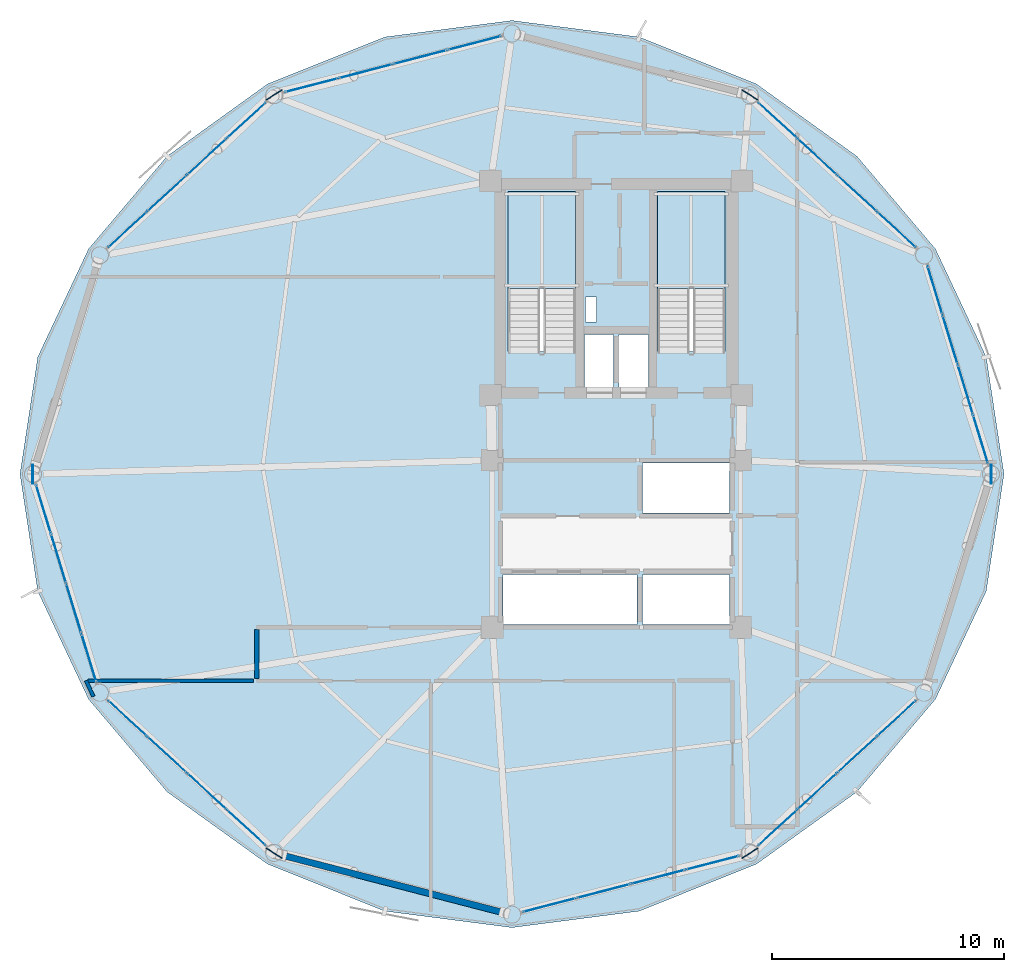
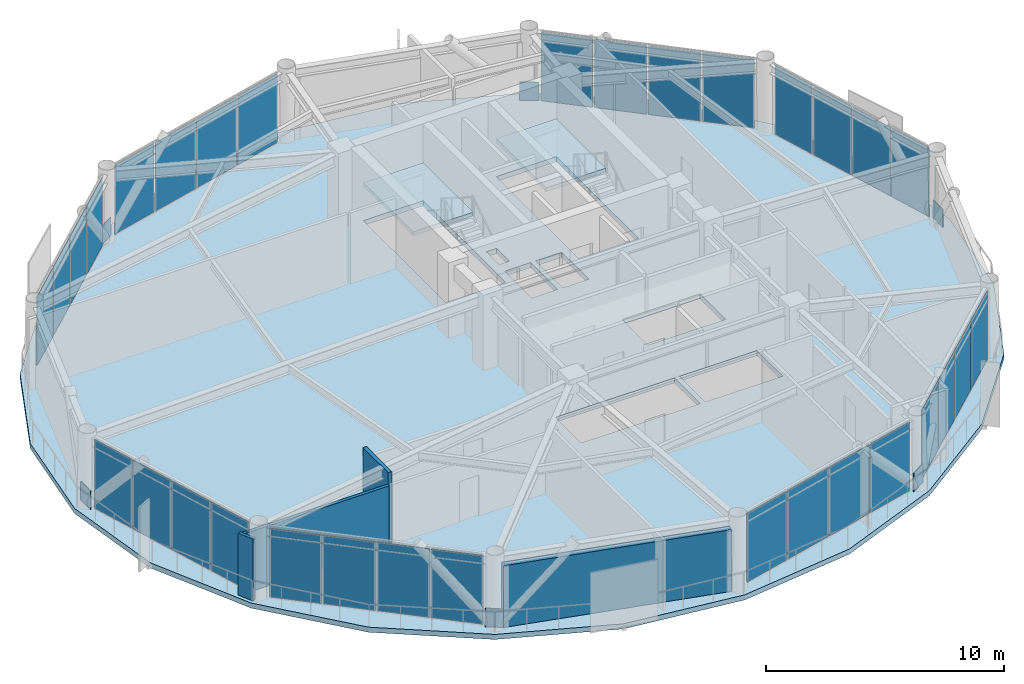
# One storey, part 20 of 25: 38 plates, 4 walls, 3 slabs, 10 elements without a shape of their own.
"""IFC4 building model written with IfcOpenShell, lengths in metres."""

from ifc_helpers import new_model, si_unit, direction, frame, frame_2d, origin, origin_2d, place, context, subcontext, project, spatial, polyline, rectangle, outline, extrude, source, transform, mapped, material, layer, layer_set, type_object, type_shapes, element, aggregate, save


model = new_model("IFC4")

# Units and contexts
model_context = context("Model", 3, precision=1e-05, world=origin(), true_north=direction((0.0, 1.0)))
body_context = subcontext(model_context, "Body", "Model", "MODEL_VIEW")
ifc_project = project(units=[si_unit("LENGTHUNIT", "METRE"), si_unit("AREAUNIT", "SQUARE_METRE"), si_unit("VOLUMEUNIT", "CUBIC_METRE"), si_unit("PLANEANGLEUNIT", "RADIAN"), si_unit("MASSUNIT", "GRAM", prefix="KILO")], contexts=[model_context])

# Site, building, storey
site_placement = place(None, origin())
site = spatial("IfcSite", under=ifc_project, at=site_placement, CompositionType="ELEMENT")
building_placement = place(site_placement, origin())
building = spatial("IfcBuilding", under=site, at=building_placement, Name="Varnakorn Sky Granary", CompositionType="ELEMENT")
storey_placement = place(building_placement, frame((0.0, 0.0, 157.800048828125)))
storey = spatial("IfcBuildingStorey", under=building, at=storey_placement, Name="L39", CompositionType="ELEMENT", Elevation=157.800048828125)

# Plates
ifc_material_1 = material(Name="Steel S460M", Category="steel")
ifc_layer_1 = layer(ifc_material_1, 0.0380859375, Name="Steel S460M")
ifc_layer_set_1 = layer_set([ifc_layer_1], Name="Steel S460M")
plate_type_1 = type_object("IfcPlateType", Name="PL-NODE-KN3", PredefinedType="SHEET", material=ifc_layer_set_1)
for number, where, z_axis, x_axis, name in (
    (1, (19.14990234375, 0.0, 0.0), (0.0, 0.0, 1.0), (0.0, 1.0, 0.0), "Diagrid Node Gusset Assembly KN3 L39-1"),
    (2, (8.757568359375, 16.33154296875, 0.0), (0.0, 0.0, 1.0), (-0.84682372896, 0.531873642956, 0.0), "Diagrid Node Gusset Assembly KN3 L39-3"),
    (3, (-11.757568359375, 16.33154296875, 0.0), (0.0, 0.0, 1.0), (-0.84682372896, -0.531873642956, 0.0), "Diagrid Node Gusset Assembly KN3 L39-5"),
    (4, (-22.14990234375, 0.0, 0.0), (0.0, 0.0, 1.0), (0.0, -1.0, 0.0), "Diagrid Node Gusset Assembly KN3 L39-7"),
    (5, (-11.757568359375, -16.33154296875, 0.0), (0.0, 0.0, 1.0), (0.84682372896, -0.531873642956, 0.0), "Diagrid Node Gusset Assembly KN3 L39-9"),
    (6, (8.757568359375, -16.33154296875, 0.0), (0.0, 0.0, 1.0), (0.84682372896, 0.531873642956, 0.0), "Diagrid Node Gusset Assembly KN3 L39-11"),
):
    element("IfcPlate", number, at=place(storey_placement, frame(where, z_axis=z_axis, x_axis=x_axis)), inside=storey, type_object=plate_type_1, Name=name, PredefinedType="SHEET", context=body_context, shape_type="SweptSolid", body=[
        extrude(rectangle(XDim=0.820068359375, YDim=0.0380859375, at=origin_2d()), origin(), (0.0, 0.0, 1.0), 0.93994140625),
    ])

# Stair, slab
ifc_material_2 = material(Name="Concrete C40/50", Category="concrete")
stair_type = type_object("IfcStairType", Name="ST-MAIN-ASSEMBLY", PredefinedType="HALF_TURN_STAIR", material=ifc_material_2)
stair_1_placement = place(storey_placement, origin())
stair_1 = element("IfcStair", 7, at=stair_1_placement, inside=storey, type_object=stair_type, Name="L39 Protected Exit Stair ST-1", PredefinedType="HALF_TURN_STAIR")
ifc_layer_2 = layer(ifc_material_2, 0.199951171875, Name="Concrete C40/50")
ifc_layer_set_2 = layer_set([ifc_layer_2], Name="Concrete C40/50")
slab_type_1 = type_object("IfcSlabType", Name="ST-MAIN-LAND", PredefinedType="LANDING", material=ifc_layer_set_2)
slab_1_placement = place(storey_placement, frame((0.0, 0.0, 1.75)))
slab_1 = element("IfcSlab", 8, at=slab_1_placement, type_object=slab_type_1, Name="ST-1 landing 1", PredefinedType="LANDING", context=body_context, shape_type="SweptSolid", body=[
    extrude(outline(polyline([(1.239990234375, 8.0), (1.239990234375, 12.179931640625), (-1.669921875, 12.179931640625), (-1.669921875, 8.0), (1.239990234375, 8.0)])), origin(), (0.0, 0.0, 1.0), 0.199951171875),
])
aggregate(stair_1, [slab_1])

stair_2_placement = place(storey_placement, origin())
stair_2 = element("IfcStair", 9, at=stair_2_placement, inside=storey, type_object=stair_type, Name="L39 Protected Exit Stair ST-2", PredefinedType="HALF_TURN_STAIR")
slab_2_placement = place(storey_placement, frame((0.0, 0.0, 1.75)))
slab_2 = element("IfcSlab", 10, at=slab_2_placement, type_object=slab_type_1, Name="ST-2 landing 1", PredefinedType="LANDING", context=body_context, shape_type="SweptSolid", body=[
    extrude(outline(polyline([(7.679931640625, 8.0), (7.679931640625, 12.179931640625), (4.77001953125, 12.179931640625), (4.77001953125, 8.0), (7.679931640625, 8.0)])), origin(), (0.0, 0.0, 1.0), 0.199951171875),
])
aggregate(stair_2, [slab_2])

# Slab
ifc_material_3 = material(Name="Concrete C50/60", Category="concrete")
ifc_layer_3 = layer(ifc_material_3, 0.260009765625, Name="Concrete C50/60")
ifc_layer_set_3 = layer_set([ifc_layer_3], Name="Concrete C50/60")
slab_type_2 = type_object("IfcSlabType", Name="ST-SL-TWR-260", PredefinedType="FLOOR", material=ifc_layer_set_3)
slab_3_placement = place(storey_placement, frame((0.0, 0.0, -0.260009765625)))
element("IfcSlab", 11, at=slab_3_placement, inside=storey, type_object=slab_type_2, Name="Level L39 Structural Floor Slab", PredefinedType="FLOOR", context=body_context, shape_type="SweptSolid", body=[
    extrude(outline(polyline([(19.699951171875, 0.0), (18.93408203125, 5.04638671875), (16.742919921875, 9.7041015625), (13.36328125, 13.691650390625), (9.032470703125, 16.807861328125), (3.975341796875, 18.83349609375), (-1.5, 19.54296875), (-6.975341796875, 18.83349609375), (-12.032470703125, 16.807861328125), (-16.36328125, 13.691650390625), (-19.742919921875, 9.7041015625), (-21.93408203125, 5.04638671875), (-22.699951171875, 0.0), (-21.93408203125, -5.04638671875), (-19.742919921875, -9.7041015625), (-16.36328125, -13.691650390625), (-12.032470703125, -16.807861328125), (-6.975341796875, -18.83349609375), (-1.5, -19.54296875), (3.975341796875, -18.83349609375), (9.032470703125, -16.807861328125), (13.36328125, -13.691650390625), (16.742919921875, -9.7041015625), (18.93408203125, -5.04638671875), (19.699951171875, 0.0)]), holes=[polyline([(1.239990234375, 5.27490234375), (1.239990234375, 12.179931640625), (-1.669921875, 12.179931640625), (-1.669921875, 5.27490234375), (1.239990234375, 5.27490234375)]), polyline([(7.679931640625, 5.27490234375), (7.679931640625, 12.179931640625), (4.77001953125, 12.179931640625), (4.77001953125, 5.27490234375), (7.679931640625, 5.27490234375)]), polyline([(1.659912109375, 6.550048828125), (2.14990234375, 6.550048828125), (2.14990234375, 7.6201171875), (1.659912109375, 7.6201171875), (1.659912109375, 6.550048828125)]), polyline([(1.6201171875, 3.739990234375), (2.8798828125, 3.739990234375), (2.8798828125, 6.010009765625), (1.6201171875, 6.010009765625), (1.6201171875, 3.739990234375)]), polyline([(3.1201171875, 3.739990234375), (4.3798828125, 3.739990234375), (4.3798828125, 6.010009765625), (3.1201171875, 6.010009765625), (3.1201171875, 3.739990234375)]), polyline([(4.1201171875, -1.679931640625), (7.8798828125, -1.679931640625), (7.8798828125, 0.47998046875), (4.1201171875, 0.47998046875), (4.1201171875, -1.679931640625)]), polyline([(-1.8798828125, -6.47998046875), (3.8798828125, -6.47998046875), (3.8798828125, -4.320068359375), (-1.8798828125, -4.320068359375), (-1.8798828125, -6.47998046875)]), polyline([(4.1201171875, -6.47998046875), (7.8798828125, -6.47998046875), (7.8798828125, -4.320068359375), (4.1201171875, -4.320068359375), (4.1201171875, -6.47998046875)])]), origin(), (0.0, 0.0, 1.0), 0.260009765625),
])

# Curtain wall, plates
ifc_material_4 = material(Name="Anodised Bronze Aluminium Alloy 6063-T6", Category="aluminium")
ifc_layer_4 = layer(ifc_material_4, 0.179931640625, Name="Anodised Bronze Aluminium Alloy 6063-T6")
ifc_layer_set_4 = layer_set([ifc_layer_4], Name="Anodised Bronze Aluminium Alloy 6063-T6")
curtain_wall_type = type_object("IfcCurtainWallType", Name="CW-FRM-2", PredefinedType="USERDEFINED", material=ifc_layer_set_4)
curtain_wall_1_placement = place(storey_placement, origin())
curtain_wall_1 = element("IfcCurtainWall", 12, at=curtain_wall_1_placement, inside=storey, type_object=curtain_wall_type, Name="Unitised Curtain Wall CW4 CW-L39-B01", ObjectType="CURTAIN WALL", PredefinedType="USERDEFINED")
ifc_material_5 = material(Name="Low-E Tinted Laminated Glass", Category="glass")
ifc_layer_5 = layer(ifc_material_5, 0.02587890625, Name="Low-E Tinted Laminated Glass")
ifc_layer_set_5 = layer_set([ifc_layer_5], Name="Low-E Tinted Laminated Glass")
plate_type_2 = type_object("IfcPlateType", Name="CW-FRM-2-PNL", PredefinedType="CURTAIN_PANEL")
shared_shape_1 = source(origin(), body_context, "Body", "SweptSolid", [
    extrude(rectangle(XDim=2.139404296875, YDim=0.02587890625, at=origin_2d()), origin(), (0.0, 0.0, 1.0), 3.510009765625),
])
plate_1_placement = place(storey_placement, frame((16.728759765625, 7.91748046875, 0.06494140625), z_axis=(0.0, 0.0, 1.0), x_axis=(0.292434721769, -0.956285487448, 0.0)))
plate_1 = element("IfcPlate", 13, at=plate_1_placement, type_object=plate_type_2, material=ifc_layer_set_5, Name="CW4 vision glazing unit 1.1", PredefinedType="CURTAIN_PANEL", context=body_context, shape_type="MappedRepresentation", body=[
    mapped(shared_shape_1, transform((0.0, 0.0, 0.0), x_axis=(1.0, 0.0, 0.0), y_axis=(0.0, 1.0, 0.0), z_axis=(0.0, 0.0, 1.0), scale=1.0)),
])
ifc_material_6 = material(Name="Opaque Insulated Aluminium Shadow-Box Unit", Category="aluminium")
ifc_layer_6 = layer(ifc_material_6, 0.02587890625, Name="Opaque Insulated Aluminium Shadow-Box Unit")
ifc_layer_set_6 = layer_set([ifc_layer_6], Name="Opaque Insulated Aluminium Shadow-Box Unit")
plate_2_placement = place(storey_placement, frame((18.687744140625, 1.51171875, 0.06494140625), z_axis=(0.0, 0.0, 1.0), x_axis=(0.292434721769, -0.956285487448, 0.0)))
plate_2 = element("IfcPlate", 14, at=plate_2_placement, type_object=plate_type_2, material=ifc_layer_set_6, Name="CW4 opaque insulated shadow-box unit 4.1", PredefinedType="CURTAIN_PANEL", context=body_context, shape_type="MappedRepresentation", body=[
    mapped(shared_shape_1, transform((0.0, 0.0, 0.0), x_axis=(1.0, 0.0, 0.0), y_axis=(0.0, 1.0, 0.0), z_axis=(0.0, 0.0, 1.0), scale=1.0)),
])

curtain_wall_2_placement = place(storey_placement, origin())
curtain_wall_2 = element("IfcCurtainWall", 15, at=curtain_wall_2_placement, inside=storey, type_object=curtain_wall_type, Name="Unitised Curtain Wall CW4 CW-L39-B07", ObjectType="CURTAIN WALL", PredefinedType="USERDEFINED")
plate_3_placement = place(storey_placement, frame((-19.728759765625, -7.91748046875, 0.06494140625), z_axis=(0.0, 0.0, 1.0), x_axis=(-0.292434721769, 0.956285487448, 0.0)))
plate_3 = element("IfcPlate", 16, at=plate_3_placement, type_object=plate_type_2, material=ifc_layer_set_5, Name="CW4 vision glazing unit 1.1", PredefinedType="CURTAIN_PANEL", context=body_context, shape_type="MappedRepresentation", body=[
    mapped(shared_shape_1, transform((0.0, 0.0, 0.0), x_axis=(1.0, 0.0, 0.0), y_axis=(0.0, 1.0, 0.0), z_axis=(0.0, 0.0, 1.0), scale=1.0)),
])
plate_4_placement = place(storey_placement, frame((-21.687744140625, -1.51171875, 0.06494140625), z_axis=(0.0, 0.0, 1.0), x_axis=(-0.292434721769, 0.956285487448, 0.0)))
plate_4 = element("IfcPlate", 17, at=plate_4_placement, type_object=plate_type_2, material=ifc_layer_set_6, Name="CW4 opaque insulated shadow-box unit 4.1", PredefinedType="CURTAIN_PANEL", context=body_context, shape_type="MappedRepresentation", body=[
    mapped(shared_shape_1, transform((0.0, 0.0, 0.0), x_axis=(1.0, 0.0, 0.0), y_axis=(0.0, 1.0, 0.0), z_axis=(0.0, 0.0, 1.0), scale=1.0)),
])

# Plate
shared_shape_2 = source(origin(), body_context, "Body", "SweptSolid", [
    extrude(rectangle(XDim=2.174560546875, YDim=0.02587890625, at=origin_2d()), origin(), (0.0, 0.0, 1.0), 3.510009765625),
])
plate_5_placement = place(storey_placement, frame((17.380126953125, 5.78759765625, 0.06494140625), z_axis=(0.0, 0.0, 1.0), x_axis=(0.292434721769, -0.956285487448, 0.0)))
plate_5 = element("IfcPlate", 18, at=plate_5_placement, type_object=plate_type_2, material=ifc_layer_set_5, Name="CW4 vision glazing unit 2.1", PredefinedType="CURTAIN_PANEL", context=body_context, shape_type="MappedRepresentation", body=[
    mapped(shared_shape_2, transform((0.0, 0.0, 0.0), x_axis=(1.0, 0.0, 0.0), y_axis=(0.0, 1.0, 0.0), z_axis=(0.0, 0.0, 1.0), scale=1.0)),
])

plate_6_placement = place(storey_placement, frame((18.036376953125, 3.641357421875, 0.06494140625), z_axis=(0.0, 0.0, 1.0), x_axis=(0.292434721769, -0.956285487448, 0.0)))
plate_6 = element("IfcPlate", 19, at=plate_6_placement, type_object=plate_type_2, material=ifc_layer_set_6, Name="CW4 opaque insulated shadow-box unit 3.1", PredefinedType="CURTAIN_PANEL", context=body_context, shape_type="MappedRepresentation", body=[
    mapped(shared_shape_2, transform((0.0, 0.0, 0.0), x_axis=(1.0, 0.0, 0.0), y_axis=(0.0, 1.0, 0.0), z_axis=(0.0, 0.0, 1.0), scale=1.0)),
])

aggregate(curtain_wall_1, [plate_1, plate_5, plate_6, plate_2])

plate_7_placement = place(storey_placement, frame((-20.380126953125, -5.78759765625, 0.06494140625), z_axis=(0.0, 0.0, 1.0), x_axis=(-0.292434721769, 0.956285487448, 0.0)))
plate_7 = element("IfcPlate", 20, at=plate_7_placement, type_object=plate_type_2, material=ifc_layer_set_5, Name="CW4 vision glazing unit 2.1", PredefinedType="CURTAIN_PANEL", context=body_context, shape_type="MappedRepresentation", body=[
    mapped(shared_shape_2, transform((0.0, 0.0, 0.0), x_axis=(1.0, 0.0, 0.0), y_axis=(0.0, 1.0, 0.0), z_axis=(0.0, 0.0, 1.0), scale=1.0)),
])

plate_8_placement = place(storey_placement, frame((-21.036376953125, -3.641357421875, 0.06494140625), z_axis=(0.0, 0.0, 1.0), x_axis=(-0.292434721769, 0.956285487448, 0.0)))
plate_8 = element("IfcPlate", 21, at=plate_8_placement, type_object=plate_type_2, material=ifc_layer_set_6, Name="CW4 opaque insulated shadow-box unit 3.1", PredefinedType="CURTAIN_PANEL", context=body_context, shape_type="MappedRepresentation", body=[
    mapped(shared_shape_2, transform((0.0, 0.0, 0.0), x_axis=(1.0, 0.0, 0.0), y_axis=(0.0, 1.0, 0.0), z_axis=(0.0, 0.0, 1.0), scale=1.0)),
])

aggregate(curtain_wall_2, [plate_3, plate_7, plate_8, plate_4])

# Curtain wall, plates
curtain_wall_3_placement = place(storey_placement, origin())
curtain_wall_3 = element("IfcCurtainWall", 22, at=curtain_wall_3_placement, inside=storey, type_object=curtain_wall_type, Name="Unitised Curtain Wall CW4 CW-L39-B02", ObjectType="CURTAIN WALL", PredefinedType="USERDEFINED")
shared_shape_3 = source(origin(), body_context, "Body", "SweptSolid", [
    extrude(rectangle(XDim=2.224365234375, YDim=0.02587890625, at=origin_2d()), origin(), (0.0, 0.0, 1.0), 3.510009765625),
])
plate_9_placement = place(storey_placement, frame((9.95263671875, 15.233154296875, 0.06494140625), z_axis=(0.0, 0.0, 1.0), x_axis=(0.73620539223, -0.676758169844, 0.0)))
plate_9 = element("IfcPlate", 23, at=plate_9_placement, type_object=plate_type_2, material=ifc_layer_set_6, Name="CW4 opaque insulated shadow-box unit 1.1", PredefinedType="CURTAIN_PANEL", context=body_context, shape_type="MappedRepresentation", body=[
    mapped(shared_shape_3, transform((0.0, 0.0, 0.0), x_axis=(1.0, 0.0, 0.0), y_axis=(0.0, 1.0, 0.0), z_axis=(0.0, 0.0, 1.0), scale=1.0)),
])
plate_10_placement = place(storey_placement, frame((15.071533203125, 10.52734375, 0.06494140625), z_axis=(0.0, 0.0, 1.0), x_axis=(0.73620539223, -0.676758169844, 0.0)))
plate_10 = element("IfcPlate", 24, at=plate_10_placement, type_object=plate_type_2, material=ifc_layer_set_5, Name="CW4 vision glazing unit 4.1", PredefinedType="CURTAIN_PANEL", context=body_context, shape_type="MappedRepresentation", body=[
    mapped(shared_shape_3, transform((0.0, 0.0, 0.0), x_axis=(1.0, 0.0, 0.0), y_axis=(0.0, 1.0, 0.0), z_axis=(0.0, 0.0, 1.0), scale=1.0)),
])

curtain_wall_4_placement = place(storey_placement, origin())
curtain_wall_4 = element("IfcCurtainWall", 25, at=curtain_wall_4_placement, inside=storey, type_object=curtain_wall_type, Name="Unitised Curtain Wall CW4 CW-L39-B05", ObjectType="CURTAIN WALL", PredefinedType="USERDEFINED")
plate_11_placement = place(storey_placement, frame((-18.071533203125, 10.52734375, 0.06494140625), z_axis=(0.0, 0.0, 1.0), x_axis=(0.73620539223, 0.676758169844, 0.0)))
plate_11 = element("IfcPlate", 26, at=plate_11_placement, type_object=plate_type_2, material=ifc_layer_set_5, Name="CW4 vision glazing unit 1.1", PredefinedType="CURTAIN_PANEL", context=body_context, shape_type="MappedRepresentation", body=[
    mapped(shared_shape_3, transform((0.0, 0.0, 0.0), x_axis=(1.0, 0.0, 0.0), y_axis=(0.0, 1.0, 0.0), z_axis=(0.0, 0.0, 1.0), scale=1.0)),
])
plate_12_placement = place(storey_placement, frame((-12.95263671875, 15.233154296875, 0.06494140625), z_axis=(0.0, 0.0, 1.0), x_axis=(0.73620539223, 0.676758169844, 0.0)))
plate_12 = element("IfcPlate", 27, at=plate_12_placement, type_object=plate_type_2, material=ifc_layer_set_6, Name="CW4 opaque insulated shadow-box unit 4.1", PredefinedType="CURTAIN_PANEL", context=body_context, shape_type="MappedRepresentation", body=[
    mapped(shared_shape_3, transform((0.0, 0.0, 0.0), x_axis=(1.0, 0.0, 0.0), y_axis=(0.0, 1.0, 0.0), z_axis=(0.0, 0.0, 1.0), scale=1.0)),
])

curtain_wall_5_placement = place(storey_placement, origin())
curtain_wall_5 = element("IfcCurtainWall", 28, at=curtain_wall_5_placement, inside=storey, type_object=curtain_wall_type, Name="Unitised Curtain Wall CW4 CW-L39-B08", ObjectType="CURTAIN WALL", PredefinedType="USERDEFINED")
plate_13_placement = place(storey_placement, frame((-12.95263671875, -15.233154296875, 0.06494140625), z_axis=(0.0, 0.0, 1.0), x_axis=(-0.73620539223, 0.676758169844, 0.0)))
plate_13 = element("IfcPlate", 29, at=plate_13_placement, type_object=plate_type_2, material=ifc_layer_set_6, Name="CW4 opaque insulated shadow-box unit 1.1", PredefinedType="CURTAIN_PANEL", context=body_context, shape_type="MappedRepresentation", body=[
    mapped(shared_shape_3, transform((0.0, 0.0, 0.0), x_axis=(1.0, 0.0, 0.0), y_axis=(0.0, 1.0, 0.0), z_axis=(0.0, 0.0, 1.0), scale=1.0)),
])
plate_14_placement = place(storey_placement, frame((-18.071533203125, -10.52734375, 0.06494140625), z_axis=(0.0, 0.0, 1.0), x_axis=(-0.73620539223, 0.676758169844, 0.0)))
plate_14 = element("IfcPlate", 30, at=plate_14_placement, type_object=plate_type_2, material=ifc_layer_set_5, Name="CW4 vision glazing unit 4.1", PredefinedType="CURTAIN_PANEL", context=body_context, shape_type="MappedRepresentation", body=[
    mapped(shared_shape_3, transform((0.0, 0.0, 0.0), x_axis=(1.0, 0.0, 0.0), y_axis=(0.0, 1.0, 0.0), z_axis=(0.0, 0.0, 1.0), scale=1.0)),
])

curtain_wall_6_placement = place(storey_placement, origin())
curtain_wall_6 = element("IfcCurtainWall", 31, at=curtain_wall_6_placement, inside=storey, type_object=curtain_wall_type, Name="Unitised Curtain Wall CW4 CW-L39-B11", ObjectType="CURTAIN WALL", PredefinedType="USERDEFINED")
plate_15_placement = place(storey_placement, frame((15.071533203125, -10.52734375, 0.06494140625), z_axis=(0.0, 0.0, 1.0), x_axis=(-0.73620539223, -0.676758169844, 0.0)))
plate_15 = element("IfcPlate", 32, at=plate_15_placement, type_object=plate_type_2, material=ifc_layer_set_5, Name="CW4 vision glazing unit 1.1", PredefinedType="CURTAIN_PANEL", context=body_context, shape_type="MappedRepresentation", body=[
    mapped(shared_shape_3, transform((0.0, 0.0, 0.0), x_axis=(1.0, 0.0, 0.0), y_axis=(0.0, 1.0, 0.0), z_axis=(0.0, 0.0, 1.0), scale=1.0)),
])
plate_16_placement = place(storey_placement, frame((9.95263671875, -15.233154296875, 0.06494140625), z_axis=(0.0, 0.0, 1.0), x_axis=(-0.73620539223, -0.676758169844, 0.0)))
plate_16 = element("IfcPlate", 33, at=plate_16_placement, type_object=plate_type_2, material=ifc_layer_set_6, Name="CW4 opaque insulated shadow-box unit 4.1", PredefinedType="CURTAIN_PANEL", context=body_context, shape_type="MappedRepresentation", body=[
    mapped(shared_shape_3, transform((0.0, 0.0, 0.0), x_axis=(1.0, 0.0, 0.0), y_axis=(0.0, 1.0, 0.0), z_axis=(0.0, 0.0, 1.0), scale=1.0)),
])

# Plate
shared_shape_4 = source(origin(), body_context, "Body", "SweptSolid", [
    extrude(rectangle(XDim=2.25927734375, YDim=0.02587890625, at=origin_2d()), origin(), (0.0, 0.0, 1.0), 3.510009765625),
])
plate_17_placement = place(storey_placement, frame((11.654541015625, 13.66845703125, 0.06494140625), z_axis=(0.0, 0.0, 1.0), x_axis=(0.73620539223, -0.676758169844, 0.0)))
plate_17 = element("IfcPlate", 34, at=plate_17_placement, type_object=plate_type_2, material=ifc_layer_set_6, Name="CW4 opaque insulated shadow-box unit 2.1", PredefinedType="CURTAIN_PANEL", context=body_context, shape_type="MappedRepresentation", body=[
    mapped(shared_shape_4, transform((0.0, 0.0, 0.0), x_axis=(1.0, 0.0, 0.0), y_axis=(0.0, 1.0, 0.0), z_axis=(0.0, 0.0, 1.0), scale=1.0)),
])

plate_18_placement = place(storey_placement, frame((13.369384765625, 12.092041015625, 0.06494140625), z_axis=(0.0, 0.0, 1.0), x_axis=(0.73620539223, -0.676758169844, 0.0)))
plate_18 = element("IfcPlate", 35, at=plate_18_placement, type_object=plate_type_2, material=ifc_layer_set_5, Name="CW4 vision glazing unit 3.1", PredefinedType="CURTAIN_PANEL", context=body_context, shape_type="MappedRepresentation", body=[
    mapped(shared_shape_4, transform((0.0, 0.0, 0.0), x_axis=(1.0, 0.0, 0.0), y_axis=(0.0, 1.0, 0.0), z_axis=(0.0, 0.0, 1.0), scale=1.0)),
])

aggregate(curtain_wall_3, [plate_9, plate_17, plate_18, plate_10])

plate_19_placement = place(storey_placement, frame((-16.369384765625, 12.092041015625, 0.06494140625), z_axis=(0.0, 0.0, 1.0), x_axis=(0.73620539223, 0.676758169844, 0.0)))
plate_19 = element("IfcPlate", 36, at=plate_19_placement, type_object=plate_type_2, material=ifc_layer_set_5, Name="CW4 vision glazing unit 2.1", PredefinedType="CURTAIN_PANEL", context=body_context, shape_type="MappedRepresentation", body=[
    mapped(shared_shape_4, transform((0.0, 0.0, 0.0), x_axis=(1.0, 0.0, 0.0), y_axis=(0.0, 1.0, 0.0), z_axis=(0.0, 0.0, 1.0), scale=1.0)),
])

plate_20_placement = place(storey_placement, frame((-14.654541015625, 13.66845703125, 0.06494140625), z_axis=(0.0, 0.0, 1.0), x_axis=(0.73620539223, 0.676758169844, 0.0)))
plate_20 = element("IfcPlate", 37, at=plate_20_placement, type_object=plate_type_2, material=ifc_layer_set_6, Name="CW4 opaque insulated shadow-box unit 3.1", PredefinedType="CURTAIN_PANEL", context=body_context, shape_type="MappedRepresentation", body=[
    mapped(shared_shape_4, transform((0.0, 0.0, 0.0), x_axis=(1.0, 0.0, 0.0), y_axis=(0.0, 1.0, 0.0), z_axis=(0.0, 0.0, 1.0), scale=1.0)),
])

aggregate(curtain_wall_4, [plate_11, plate_19, plate_20, plate_12])

plate_21_placement = place(storey_placement, frame((-14.654541015625, -13.66845703125, 0.06494140625), z_axis=(0.0, 0.0, 1.0), x_axis=(-0.73620539223, 0.676758169844, 0.0)))
plate_21 = element("IfcPlate", 38, at=plate_21_placement, type_object=plate_type_2, material=ifc_layer_set_6, Name="CW4 opaque insulated shadow-box unit 2.1", PredefinedType="CURTAIN_PANEL", context=body_context, shape_type="MappedRepresentation", body=[
    mapped(shared_shape_4, transform((0.0, 0.0, 0.0), x_axis=(1.0, 0.0, 0.0), y_axis=(0.0, 1.0, 0.0), z_axis=(0.0, 0.0, 1.0), scale=1.0)),
])

plate_22_placement = place(storey_placement, frame((-16.369384765625, -12.092041015625, 0.06494140625), z_axis=(0.0, 0.0, 1.0), x_axis=(-0.73620539223, 0.676758169844, 0.0)))
plate_22 = element("IfcPlate", 39, at=plate_22_placement, type_object=plate_type_2, material=ifc_layer_set_5, Name="CW4 vision glazing unit 3.1", PredefinedType="CURTAIN_PANEL", context=body_context, shape_type="MappedRepresentation", body=[
    mapped(shared_shape_4, transform((0.0, 0.0, 0.0), x_axis=(1.0, 0.0, 0.0), y_axis=(0.0, 1.0, 0.0), z_axis=(0.0, 0.0, 1.0), scale=1.0)),
])

aggregate(curtain_wall_5, [plate_13, plate_21, plate_22, plate_14])

plate_23_placement = place(storey_placement, frame((13.369384765625, -12.092041015625, 0.06494140625), z_axis=(0.0, 0.0, 1.0), x_axis=(-0.73620539223, -0.676758169844, 0.0)))
plate_23 = element("IfcPlate", 40, at=plate_23_placement, type_object=plate_type_2, material=ifc_layer_set_5, Name="CW4 vision glazing unit 2.1", PredefinedType="CURTAIN_PANEL", context=body_context, shape_type="MappedRepresentation", body=[
    mapped(shared_shape_4, transform((0.0, 0.0, 0.0), x_axis=(1.0, 0.0, 0.0), y_axis=(0.0, 1.0, 0.0), z_axis=(0.0, 0.0, 1.0), scale=1.0)),
])

plate_24_placement = place(storey_placement, frame((11.654541015625, -13.66845703125, 0.06494140625), z_axis=(0.0, 0.0, 1.0), x_axis=(-0.73620539223, -0.676758169844, 0.0)))
plate_24 = element("IfcPlate", 41, at=plate_24_placement, type_object=plate_type_2, material=ifc_layer_set_6, Name="CW4 opaque insulated shadow-box unit 3.1", PredefinedType="CURTAIN_PANEL", context=body_context, shape_type="MappedRepresentation", body=[
    mapped(shared_shape_4, transform((0.0, 0.0, 0.0), x_axis=(1.0, 0.0, 0.0), y_axis=(0.0, 1.0, 0.0), z_axis=(0.0, 0.0, 1.0), scale=1.0)),
])

aggregate(curtain_wall_6, [plate_15, plate_23, plate_24, plate_16])

# Curtain wall, plates
curtain_wall_7_placement = place(storey_placement, origin())
curtain_wall_7 = element("IfcCurtainWall", 42, at=curtain_wall_7_placement, inside=storey, type_object=curtain_wall_type, Name="Unitised Curtain Wall CW4 CW-L39-B04", ObjectType="CURTAIN WALL", PredefinedType="USERDEFINED")
shared_shape_5 = source(origin(), body_context, "Body", "SweptSolid", [
    extrude(rectangle(XDim=2.32373046875, YDim=0.02587890625, at=origin_2d()), origin(), (0.0, 0.0, 1.0), 3.510009765625),
])
plate_25_placement = place(storey_placement, frame((-10.13818359375, 16.751708984375, 0.06494140625), z_axis=(0.0, 0.0, 1.0), x_axis=(0.967949277632, 0.251145766302, 0.0)))
plate_25 = element("IfcPlate", 43, at=plate_25_placement, type_object=plate_type_2, material=ifc_layer_set_6, Name="CW4 opaque insulated shadow-box unit 1.1", PredefinedType="CURTAIN_PANEL", context=body_context, shape_type="MappedRepresentation", body=[
    mapped(shared_shape_5, transform((0.0, 0.0, 0.0), x_axis=(1.0, 0.0, 0.0), y_axis=(0.0, 1.0, 0.0), z_axis=(0.0, 0.0, 1.0), scale=1.0)),
])
plate_26_placement = place(storey_placement, frame((-3.119384765625, 18.57275390625, 0.06494140625), z_axis=(0.0, 0.0, 1.0), x_axis=(0.967949277632, 0.251145766302, 0.0)))
plate_26 = element("IfcPlate", 44, at=plate_26_placement, type_object=plate_type_2, material=ifc_layer_set_5, Name="CW4 vision glazing unit 4.1", PredefinedType="CURTAIN_PANEL", context=body_context, shape_type="MappedRepresentation", body=[
    mapped(shared_shape_5, transform((0.0, 0.0, 0.0), x_axis=(1.0, 0.0, 0.0), y_axis=(0.0, 1.0, 0.0), z_axis=(0.0, 0.0, 1.0), scale=1.0)),
])

curtain_wall_8_placement = place(storey_placement, origin())
curtain_wall_8 = element("IfcCurtainWall", 45, at=curtain_wall_8_placement, inside=storey, type_object=curtain_wall_type, Name="Unitised Curtain Wall CW4 CW-L39-B10", ObjectType="CURTAIN WALL", PredefinedType="USERDEFINED")
plate_27_placement = place(storey_placement, frame((7.13818359375, -16.751708984375, 0.06494140625), z_axis=(0.0, 0.0, 1.0), x_axis=(-0.967949277632, -0.251145766302, 0.0)))
plate_27 = element("IfcPlate", 46, at=plate_27_placement, type_object=plate_type_2, material=ifc_layer_set_6, Name="CW4 opaque insulated shadow-box unit 1.1", PredefinedType="CURTAIN_PANEL", context=body_context, shape_type="MappedRepresentation", body=[
    mapped(shared_shape_5, transform((0.0, 0.0, 0.0), x_axis=(1.0, 0.0, 0.0), y_axis=(0.0, 1.0, 0.0), z_axis=(0.0, 0.0, 1.0), scale=1.0)),
])
plate_28_placement = place(storey_placement, frame((0.119384765625, -18.57275390625, 0.06494140625), z_axis=(0.0, 0.0, 1.0), x_axis=(-0.967949277632, -0.251145766302, 0.0)))
plate_28 = element("IfcPlate", 47, at=plate_28_placement, type_object=plate_type_2, material=ifc_layer_set_5, Name="CW4 vision glazing unit 4.1", PredefinedType="CURTAIN_PANEL", context=body_context, shape_type="MappedRepresentation", body=[
    mapped(shared_shape_5, transform((0.0, 0.0, 0.0), x_axis=(1.0, 0.0, 0.0), y_axis=(0.0, 1.0, 0.0), z_axis=(0.0, 0.0, 1.0), scale=1.0)),
])

# Plate
shared_shape_6 = source(origin(), body_context, "Body", "SweptSolid", [
    extrude(rectangle(XDim=2.35888671875, YDim=0.02587890625, at=origin_2d()), origin(), (0.0, 0.0, 1.0), 3.510009765625),
])
type_shapes(plate_type_2, [shared_shape_1, shared_shape_2, shared_shape_3, shared_shape_4, shared_shape_5, shared_shape_6])
plate_29_placement = place(storey_placement, frame((-7.80419921875, 17.357177734375, 0.06494140625), z_axis=(0.0, 0.0, 1.0), x_axis=(0.967949277632, 0.251145766302, 0.0)))
plate_29 = element("IfcPlate", 48, at=plate_29_placement, type_object=plate_type_2, material=ifc_layer_set_6, Name="CW4 opaque insulated shadow-box unit 2.1", PredefinedType="CURTAIN_PANEL", context=body_context, shape_type="MappedRepresentation", body=[
    mapped(shared_shape_6, transform((0.0, 0.0, 0.0), x_axis=(1.0, 0.0, 0.0), y_axis=(0.0, 1.0, 0.0), z_axis=(0.0, 0.0, 1.0), scale=1.0)),
])

plate_30_placement = place(storey_placement, frame((-5.453369140625, 17.96728515625, 0.06494140625), z_axis=(0.0, 0.0, 1.0), x_axis=(0.967949277632, 0.251145766302, 0.0)))
plate_30 = element("IfcPlate", 49, at=plate_30_placement, type_object=plate_type_2, material=ifc_layer_set_5, Name="CW4 vision glazing unit 3.1", PredefinedType="CURTAIN_PANEL", context=body_context, shape_type="MappedRepresentation", body=[
    mapped(shared_shape_6, transform((0.0, 0.0, 0.0), x_axis=(1.0, 0.0, 0.0), y_axis=(0.0, 1.0, 0.0), z_axis=(0.0, 0.0, 1.0), scale=1.0)),
])

aggregate(curtain_wall_7, [plate_25, plate_29, plate_30, plate_26])

plate_31_placement = place(storey_placement, frame((4.80419921875, -17.357177734375, 0.06494140625), z_axis=(0.0, 0.0, 1.0), x_axis=(-0.967949277632, -0.251145766302, 0.0)))
plate_31 = element("IfcPlate", 50, at=plate_31_placement, type_object=plate_type_2, material=ifc_layer_set_6, Name="CW4 opaque insulated shadow-box unit 2.1", PredefinedType="CURTAIN_PANEL", context=body_context, shape_type="MappedRepresentation", body=[
    mapped(shared_shape_6, transform((0.0, 0.0, 0.0), x_axis=(1.0, 0.0, 0.0), y_axis=(0.0, 1.0, 0.0), z_axis=(0.0, 0.0, 1.0), scale=1.0)),
])

plate_32_placement = place(storey_placement, frame((2.453369140625, -17.96728515625, 0.06494140625), z_axis=(0.0, 0.0, 1.0), x_axis=(-0.967949277632, -0.251145766302, 0.0)))
plate_32 = element("IfcPlate", 51, at=plate_32_placement, type_object=plate_type_2, material=ifc_layer_set_5, Name="CW4 vision glazing unit 3.1", PredefinedType="CURTAIN_PANEL", context=body_context, shape_type="MappedRepresentation", body=[
    mapped(shared_shape_6, transform((0.0, 0.0, 0.0), x_axis=(1.0, 0.0, 0.0), y_axis=(0.0, 1.0, 0.0), z_axis=(0.0, 0.0, 1.0), scale=1.0)),
])

aggregate(curtain_wall_8, [plate_27, plate_31, plate_32, plate_28])

# Walls
ifc_material_7 = material(Name="Precast concrete C40/50", Category="concrete")
ifc_layer_7 = layer(ifc_material_7, 0.280029296875, Name="Precast concrete C40/50")
ifc_layer_set_7 = layer_set([ifc_layer_7], Name="Precast concrete C40/50")
wall_type_1 = type_object("IfcWallType", Name="WT-EW-CRN-280", PredefinedType="SOLIDWALL", material=ifc_layer_set_7)
wall_1_placement = place(storey_placement, frame((-1.8251953125, -18.90869140625, 0.0), z_axis=(0.0, 0.0, 1.0), x_axis=(-0.967949740491, 0.251143982374, 0.0)))
element("IfcWall", 52, at=wall_1_placement, inside=storey, type_object=wall_type_1, Name="Agritech Insulated Precast Facade Wall L39-P09", PredefinedType="SOLIDWALL", context=body_context, shape_type="SweptSolid", body=[
    extrude(rectangle(XDim=9.92529296875, YDim=0.280029296875, at=frame_2d((4.962646484375, 0.0))), origin(), (0.0, 0.0, 1.0), 3.159912109375),
])
ifc_material_8 = material(Name="Gypsum Plasterboard on Steel Stud", Category="steel")
ifc_layer_8 = layer(ifc_material_8, 0.14990234375, Name="Gypsum Plasterboard on Steel Stud")
ifc_layer_set_8 = layer_set([ifc_layer_8], Name="Gypsum Plasterboard on Steel Stud")
wall_type_2 = type_object("IfcWallType", Name="WT-PART-150", PredefinedType="PARTITIONING", material=ifc_layer_set_8)
wall_2_placement = place(storey_placement, frame((-19.534912109375, -9.583984375, 0.0), z_axis=(0.0, 0.0, 1.0), x_axis=(-0.425905886424, 0.90476747063, 0.0)))
element("IfcWall", 53, at=wall_2_placement, inside=storey, type_object=wall_type_2, Name="Interior Partition Wall L39-034", PredefinedType="PARTITIONING", context=body_context, shape_type="SweptSolid", body=[
    extrude(rectangle(XDim=0.756103515625, YDim=0.14990234375, at=frame_2d((0.3779296875, 0.0))), origin(), (0.0, 0.0, 1.0), 3.171875),
])
wall_3_placement = place(storey_placement, frame((-19.77197265625, -8.89990234375, 0.0), z_axis=(0.0, 0.0, 1.0), x_axis=(1.0, 0.0, 0.0)))
element("IfcWall", 54, at=wall_3_placement, inside=storey, type_object=wall_type_2, Name="Interior Partition Wall L39-035", PredefinedType="PARTITIONING", context=body_context, shape_type="SweptSolid", body=[
    extrude(rectangle(XDim=7.136962890625, YDim=0.14990234375, at=frame_2d((3.568359375, 0.0))), origin(), (0.0, 0.0, 1.0), 3.072021484375),
])
ifc_material_9 = material(Name="Moisture-Resistant Gypsum on Stud", Category="gypsum")
ifc_layer_9 = layer(ifc_material_9, 0.179931640625, Name="Moisture-Resistant Gypsum on Stud")
ifc_layer_set_9 = layer_set([ifc_layer_9], Name="Moisture-Resistant Gypsum on Stud")
wall_type_3 = type_object("IfcWallType", Name="WT-PLUMB-180", PredefinedType="PLUMBINGWALL", material=ifc_layer_set_9)
wall_4_placement = place(storey_placement, frame((-12.5, -6.699951171875, 0.0), z_axis=(0.0, 0.0, 1.0), x_axis=(0.0, -1.0, 0.0)))
element("IfcWall", 55, at=wall_4_placement, inside=storey, type_object=wall_type_3, Name="Interior Partition Wall L39-041", PredefinedType="PLUMBINGWALL", context=body_context, shape_type="SweptSolid", body=[
    extrude(rectangle(XDim=2.114990234375, YDim=0.179931640625, at=frame_2d((1.0576171875, 0.0))), origin(), (0.0, 0.0, 1.0), 3.639892578125),
])

save(model, "model.ifc")
